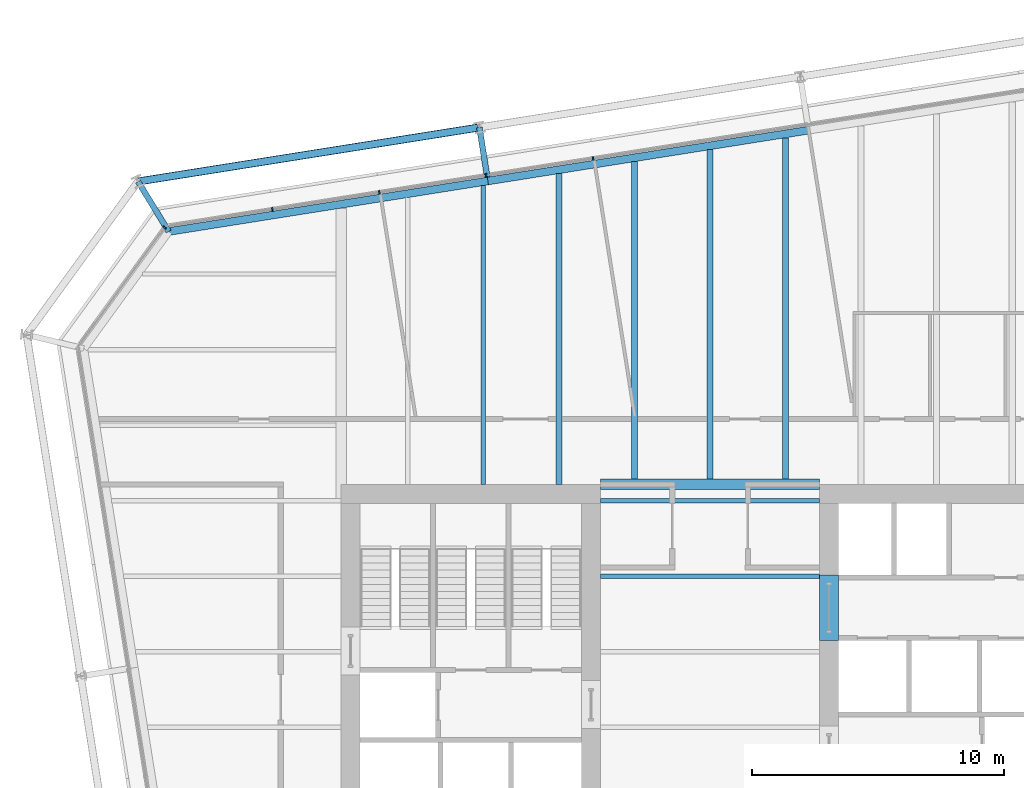
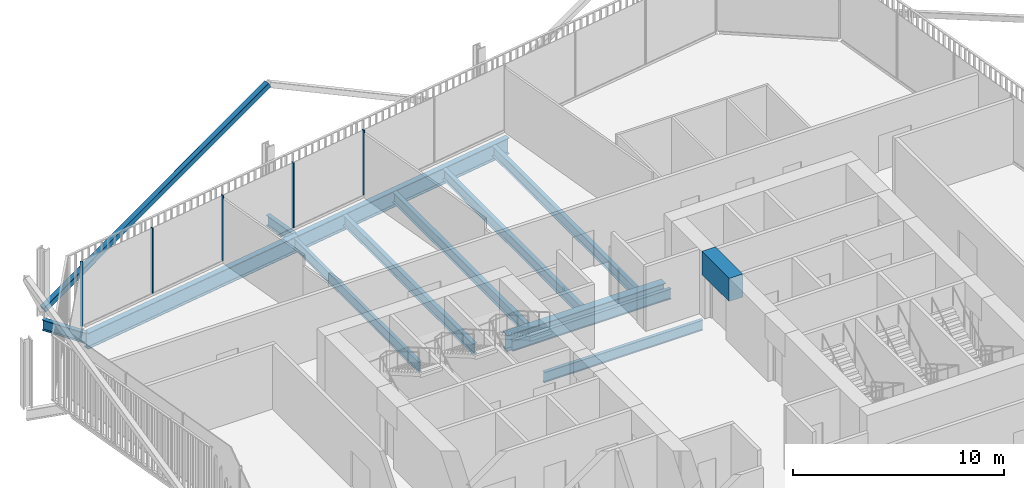
# One storey, part 11 of 22: 13 beams, 6 members, 2 elements without a shape of their own.
"""IFC4 building model written with IfcOpenShell, lengths in metres."""

import ifcopenshell
import ifcopenshell.guid

model = None  # the IFC model being written
_history = None  # IfcOwnerHistory: only IFC2X3 demands one
_inside = {}  # id of a spatial element -> (the spatial element, [elements in it])
_under = {}  # id of a project, library or spatial element -> (it, [spatial elements below it])
_declared = {}  # id of a project -> (the project, [libraries it declares])
_typed = {}  # id of a type object -> (the type object, [elements of that type])
_made_of = {}  # id of a material, layer set ... -> (it, [elements and type objects made of it])


def new_model(schema):
    """Start an empty IFC model of exactly this schema.

    Asked for "IFC4X3", IfcOpenShell would pick the latest addendum, in which some entities
    have other attributes; the version numbers below select the first issue.
    IFC2X3 requires an IfcOwnerHistory on every rooted entity: one is made here for all.
    """
    global model, _history
    if schema == "IFC4X3":
        model = ifcopenshell.file(schema_version=(4, 3, 0, 0))
    else:
        model = ifcopenshell.file(schema=schema)
    _inside.clear()
    _under.clear()
    _declared.clear()
    _typed.clear()
    _made_of.clear()
    _history = None
    if model.schema == "IFC2X3":
        org = make("IfcOrganization", Name="unknown")
        user = make(
            "IfcPersonAndOrganization",
            ThePerson=make("IfcPerson", FamilyName="unknown"),
            TheOrganization=org,
        )
        app = make(
            "IfcApplication",
            ApplicationDeveloper=org,
            Version="unknown",
            ApplicationFullName="unknown",
            ApplicationIdentifier="unknown",
        )
        _history = make(
            "IfcOwnerHistory",
            OwningUser=user,
            OwningApplication=app,
            ChangeAction="ADDED",
            CreationDate=0,
        )
    return model


def make(cls, **values):
    """One entity of the class cls with the attributes given. An attribute that is None is left unset."""
    return model.create_entity(
        cls, **{name: value for name, value in values.items() if value is not None}
    )


def rooted(cls, **values):
    """An entity with a GlobalId (a new one), such as an element, a storey or a relation."""
    return make(cls, GlobalId=ifcopenshell.guid.new(), OwnerHistory=_history, **values)


def si_unit(unit_type, name, prefix=None):
    """IfcSIUnit, for example si_unit("LENGTHUNIT", "METRE", prefix="MILLI")."""
    return make("IfcSIUnit", UnitType=unit_type, Prefix=prefix, Name=name)


def assignment(units):
    """IfcUnitAssignment: the units of a project."""
    return None if units is None else make("IfcUnitAssignment", Units=units)


def point(xyz):
    """IfcCartesianPoint."""
    return None if xyz is None else make("IfcCartesianPoint", Coordinates=xyz)


def direction(xyz):
    """IfcDirection."""
    return None if xyz is None else make("IfcDirection", DirectionRatios=xyz)


def frame(location, z_axis=None, x_axis=None):
    """IfcAxis2Placement3D, a coordinate frame: its origin and axes. An axis left out is left unset."""
    return make(
        "IfcAxis2Placement3D",
        Location=point(location),
        Axis=direction(z_axis),
        RefDirection=direction(x_axis),
    )


def frame_2d(location, x_axis=None):
    """IfcAxis2Placement2D, a coordinate frame in the plane: its origin and x axis."""
    return make(
        "IfcAxis2Placement2D", Location=point(location), RefDirection=direction(x_axis)
    )


def origin():
    """The frame at (0, 0, 0) with its axes left unset."""
    return frame((0.0, 0.0, 0.0))


def origin_2d():
    """The frame at (0, 0) in the plane with its x axis left unset."""
    return frame_2d((0.0, 0.0))


def place(relative_to, where):
    """IfcLocalPlacement: puts the frame where relative to a parent placement (None: the world)."""
    return make(
        "IfcLocalPlacement", PlacementRelTo=relative_to, RelativePlacement=where
    )


def context(
    kind, dimensions, precision=None, world=None, true_north=None, identifier=None
):
    """IfcGeometricRepresentationContext, for example the 3D "Model" context."""
    return make(
        "IfcGeometricRepresentationContext",
        ContextIdentifier=identifier,
        ContextType=kind,
        CoordinateSpaceDimension=dimensions,
        Precision=precision,
        WorldCoordinateSystem=world,
        TrueNorth=true_north,
    )


def subcontext(parent, identifier, kind, view, scale=None):
    """IfcGeometricRepresentationSubContext, for example "Body" below "Model"."""
    return make(
        "IfcGeometricRepresentationSubContext",
        ContextIdentifier=identifier,
        ContextType=kind,
        ParentContext=parent,
        TargetScale=scale,
        TargetView=view,
    )


def project(units=None, contexts=None):
    """IfcProject with its units and contexts."""
    return rooted(
        "IfcProject",
        Name="project",
        RepresentationContexts=contexts,
        UnitsInContext=assignment(units),
    )


def spatial(cls, under=None, at=None, **own):
    """A site, building, storey or space (cls), placed at a placement, below another one or the project."""
    s = rooted(cls, ObjectPlacement=at, **own)
    if under is not None:
        _under.setdefault(under.id(), (under, []))[1].append(s)
    return s


def profile(cls, at=None, kind="AREA", **sizes):
    """A parametric profile (cls). Its sizes go by their IFC names, for example OverallWidth=200.0."""
    return make(cls, ProfileType=kind, Position=at, **sizes)


def rectangle(**sizes):
    """IfcRectangleProfileDef."""
    return profile("IfcRectangleProfileDef", **sizes)


def hollow_rectangle(**sizes):
    """IfcRectangleHollowProfileDef."""
    return profile("IfcRectangleHollowProfileDef", **sizes)


def i_section(**sizes):
    """IfcIShapeProfileDef."""
    return profile("IfcIShapeProfileDef", **sizes)


def extrude(swept, where, along, depth):
    """IfcExtrudedAreaSolid: the profile swept, set in the frame where, extruded along a direction by depth."""
    return make(
        "IfcExtrudedAreaSolid",
        SweptArea=swept,
        Position=where,
        ExtrudedDirection=direction(along),
        Depth=depth,
    )


def shape(context_of_items, identifier, shape_type, items):
    """IfcShapeRepresentation: the items that make up one representation, for example the "Body"."""
    return make(
        "IfcShapeRepresentation",
        ContextOfItems=context_of_items,
        RepresentationIdentifier=identifier,
        RepresentationType=shape_type,
        Items=items,
    )


def material(Name=None, Category=None):
    """IfcMaterial."""
    return make("IfcMaterial", Name=Name, Category=Category)


def layer(
    of_material, thickness, ventilated=None, Name=None, Category=None, Priority=None
):
    """IfcMaterialLayer: one layer of a wall or slab, of a material (None: an air gap)."""
    return make(
        "IfcMaterialLayer",
        Material=of_material,
        LayerThickness=thickness,
        IsVentilated=ventilated,
        Name=Name,
        Category=Category,
        Priority=Priority,
    )


def layer_set(layers, Name=None):
    """IfcMaterialLayerSet."""
    return make("IfcMaterialLayerSet", MaterialLayers=layers, LayerSetName=Name)


def material_profile(
    of_material, cross_section, Name=None, Category=None, Priority=None
):
    """IfcMaterialProfile: a cross section and its material."""
    return make(
        "IfcMaterialProfile",
        Name=Name,
        Material=of_material,
        Profile=cross_section,
        Priority=Priority,
        Category=Category,
    )


def profile_set(profiles, Name=None, composite=None):
    """IfcMaterialProfileSet."""
    return make(
        "IfcMaterialProfileSet",
        Name=Name,
        MaterialProfiles=profiles,
        CompositeProfile=composite,
    )


def made_of(thing, what):
    """Note that an element or type object is made of a material, layer set ...; save() writes the relation."""
    if what is not None:
        _made_of.setdefault(what.id(), (what, []))[1].append(thing)
    return thing


def type_object(cls, material=None, **own):
    """A type object (cls), such as IfcWallType, which elements share."""
    return made_of(rooted(cls, **own), material)


def element(
    cls,
    number,
    at=None,
    inside=None,
    cuts=None,
    type_object=None,
    material=None,
    context=None,
    identifier="Body",
    shape_type=None,
    held_by="IfcProductDefinitionShape",
    body=None,
    shapes=None,
    **own,
):
    """One element of the class cls, such as IfcWall. Its Tag is "e" and its number.

    at: its placement. inside: the storey or other place that contains it. cuts: it is an
    opening in that element (IfcRelVoidsElement). A single representation is given by context,
    identifier, shape_type and body (its items); several are given by shapes. held_by: the class
    of the entity that holds the representations. save() writes the other relations.
    """
    e = rooted(cls, Tag="e%d" % number, ObjectPlacement=at, **own)
    if body is not None:
        shapes = [shape(context, identifier, shape_type, body)]
    if shapes is not None:
        e.Representation = make(held_by, Representations=shapes)
    if inside is not None:
        _inside.setdefault(inside.id(), (inside, []))[1].append(e)
    if cuts is not None:
        rooted(
            "IfcRelVoidsElement", RelatingBuildingElement=cuts, RelatedOpeningElement=e
        )
    if type_object is not None:
        _typed.setdefault(type_object.id(), (type_object, []))[1].append(e)
    return made_of(e, material)


def aggregate(whole, parts):
    """IfcRelAggregates: a whole, such as a stair, and the parts it consists of."""
    return rooted("IfcRelAggregates", RelatingObject=whole, RelatedObjects=parts)


def save(model, path):
    """Write the relations noted so far, then the file.

    IfcRelAggregates (storeys below a building ...), IfcRelContainedInSpatialStructure (elements
    in a storey), IfcRelDefinesByType, IfcRelAssociatesMaterial and IfcRelDeclares: one each for
    every whole, place, type object, material and project.
    """
    for whole, parts in _under.values():
        aggregate(whole, parts)
    for where, things in _inside.values():
        rooted(
            "IfcRelContainedInSpatialStructure",
            RelatedElements=things,
            RelatingStructure=where,
        )
    for kind, things in _typed.values():
        rooted("IfcRelDefinesByType", RelatedObjects=things, RelatingType=kind)
    for what, things in _made_of.values():
        rooted("IfcRelAssociatesMaterial", RelatedObjects=things, RelatingMaterial=what)
    for by, libraries in _declared.values():
        rooted("IfcRelDeclares", RelatingContext=by, RelatedDefinitions=libraries)
    model.write(path)


model = new_model("IFC4")

# Units and contexts
model_context = context("Model", 3, precision=1e-05, world=origin(), true_north=direction((0.0, 1.0)))
body_context = subcontext(model_context, "Body", "Model", "MODEL_VIEW")
ifc_project = project(units=[si_unit("LENGTHUNIT", "METRE"), si_unit("AREAUNIT", "SQUARE_METRE"), si_unit("VOLUMEUNIT", "CUBIC_METRE"), si_unit("PLANEANGLEUNIT", "RADIAN"), si_unit("MASSUNIT", "GRAM", prefix="KILO")], contexts=[model_context])

# Site, building, storey
site_placement = place(None, origin())
site = spatial("IfcSite", under=ifc_project, at=site_placement, CompositionType="ELEMENT")
building_placement = place(site_placement, origin())
building = spatial("IfcBuilding", under=site, at=building_placement, Name="Millrace Tower", CompositionType="ELEMENT")
storey_placement = place(building_placement, frame((0.0, 0.0, 160.699951171875)))
storey = spatial("IfcBuildingStorey", under=building, at=storey_placement, Name="L36", CompositionType="ELEMENT", Elevation=160.699951171875)

# Curtain wall, members
ifc_material_1 = material(Name="Aluminium and glass", Category="aluminium")
ifc_layer = layer(ifc_material_1, 0.14990234375)
ifc_layer_set = layer_set([ifc_layer], Name="Aluminium and glass")
curtain_wall_type = type_object("IfcCurtainWallType", Name="CW-1 office vision curtain wall", PredefinedType="NOTDEFINED", material=ifc_layer_set)
placement = place(storey_placement, origin())
curtain_wall_1 = element("IfcCurtainWall", 1, at=placement, inside=storey, type_object=curtain_wall_type, Name="Curtain wall C-F06 L36", PredefinedType="NOTDEFINED")
ifc_material_2 = material(Name="Aluminium", Category="aluminium")
ifc_material_profile_1 = material_profile(ifc_material_2, rectangle(XDim=0.06494140625, YDim=0.14990234375, at=origin_2d()))
ifc_profile_set_1 = profile_set([ifc_material_profile_1], Name="Aluminium")
member_type_1 = type_object("IfcMemberType", Name="CW-1 office vision curtain wall mullion", PredefinedType="MULLION", material=ifc_profile_set_1)
member_1_placement = place(storey_placement, frame((-4.6435546875, 22.59326171875, 0.14013671875), z_axis=(0.0, 0.0, 1.0), x_axis=(-0.98768833929, -0.15643447328, 0.0)))
member_1 = element("IfcMember", 2, at=member_1_placement, type_object=member_type_1, Name="CW1 mullion C-F06.6", PredefinedType="MULLION", context=body_context, shape_type="SweptSolid", body=[
    extrude(rectangle(XDim=0.06494140625, YDim=0.14990234375, at=origin_2d()), origin(), (0.0, 0.0, 1.0), 3.760009765625),
])
member_2_placement = place(storey_placement, frame((-8.890625, 21.920654296875, 0.14013671875), z_axis=(0.0, 0.0, 1.0), x_axis=(-0.98768833929, -0.15643447328, 0.0)))
member_2 = element("IfcMember", 3, at=member_2_placement, type_object=member_type_1, Name="CW1 mullion C-F06.7", PredefinedType="MULLION", context=body_context, shape_type="SweptSolid", body=[
    extrude(rectangle(XDim=0.06494140625, YDim=0.14990234375, at=origin_2d()), origin(), (0.0, 0.0, 1.0), 3.760009765625),
])
member_3_placement = place(storey_placement, frame((-13.1376953125, 21.248046875, 0.14013671875), z_axis=(0.0, 0.0, 1.0), x_axis=(-0.98768833929, -0.15643447328, 0.0)))
member_3 = element("IfcMember", 4, at=member_3_placement, type_object=member_type_1, Name="CW1 mullion C-F06.8", PredefinedType="MULLION", context=body_context, shape_type="SweptSolid", body=[
    extrude(rectangle(XDim=0.06494140625, YDim=0.14990234375, at=origin_2d()), origin(), (0.0, 0.0, 1.0), 3.760009765625),
])
member_4_placement = place(storey_placement, frame((-17.384765625, 20.575439453125, 0.14013671875), z_axis=(0.0, 0.0, 1.0), x_axis=(-0.98768833929, -0.15643447328, 0.0)))
member_4 = element("IfcMember", 5, at=member_4_placement, type_object=member_type_1, Name="CW1 mullion C-F06.9", PredefinedType="MULLION", context=body_context, shape_type="SweptSolid", body=[
    extrude(rectangle(XDim=0.06494140625, YDim=0.14990234375, at=origin_2d()), origin(), (0.0, 0.0, 1.0), 3.760009765625),
])
aggregate(curtain_wall_1, [member_1, member_2, member_3, member_4])

# Curtain wall, member
curtain_wall_2 = element("IfcCurtainWall", 6, at=placement, inside=storey, type_object=curtain_wall_type, Name="Curtain wall C-F07 L36", PredefinedType="NOTDEFINED")
member_5_placement = place(storey_placement, frame((-21.667724609375, 19.8515625, 0.14013671875), z_axis=(0.0, 0.0, 1.0), x_axis=(-0.587785269844, -0.809016981623, 0.0)))
member_5 = element("IfcMember", 7, at=member_5_placement, type_object=member_type_1, Name="CW1 mullion C-F07.1", PredefinedType="MULLION", context=body_context, shape_type="SweptSolid", body=[
    extrude(rectangle(XDim=0.06494140625, YDim=0.14990234375, at=origin_2d()), origin(), (0.0, 0.0, 1.0), 3.760009765625),
])
aggregate(curtain_wall_2, [member_5])

# Beam
ifc_material_3 = material(Name="Concrete C70", Category="concrete")
ifc_material_profile_2 = material_profile(ifc_material_3, rectangle(XDim=0.75, YDim=1.340087890625, at=origin_2d()))
ifc_profile_set_2 = profile_set([ifc_material_profile_2], Name="Concrete C70")
beam_type_1 = type_object("IfcBeamType", Name="Coupling beam 750 x 1340 Concrete C70, 2000 opening", PredefinedType="BEAM", material=ifc_profile_set_2)
beam_1_placement = place(storey_placement, frame((4.72509765625, 6.050048828125, 3.070068359375), z_axis=(0.0, -1.0, 0.0), x_axis=(1.0, 0.0, 0.0)))
element("IfcBeam", 8, at=beam_1_placement, inside=storey, type_object=beam_type_1, Name="Coupling beam E L36", PredefinedType="BEAM", context=body_context, shape_type="SweptSolid", body=[
    extrude(rectangle(XDim=0.75, YDim=1.340087890625, at=origin_2d()), origin(), (0.0, 0.0, 1.0), 2.60009765625),
])

# Member
ifc_material_4 = material(Name="Steel ASTM A500 Grade C", Category="steel")
ifc_material_profile_3 = material_profile(ifc_material_4, hollow_rectangle(XDim=0.3046875, YDim=0.3046875, WallThickness=0.0126953125, InnerFilletRadius=0.00634765625, OuterFilletRadius=0.01904296875, at=origin_2d()))
ifc_profile_set_3 = profile_set([ifc_material_profile_3], Name="Steel ASTM A500 Grade C")
member_type_2 = type_object("IfcMemberType", Name="Exoskeleton brace HSS12x12x1/2", PredefinedType="BRACE", material=ifc_profile_set_3)
member_6_placement = place(storey_placement, frame((-22.718994140625, 21.679443359375, 0.400146484375), z_axis=(0.879904612171, 0.139370908249, 0.454250617407), x_axis=(-0.156442906258, 0.987687003601, 0.0)))
element("IfcMember", 9, at=member_6_placement, inside=storey, type_object=member_type_2, Name="BRC-C-L36-12", PredefinedType="BRACE", context=body_context, shape_type="SweptSolid", body=[
    extrude(hollow_rectangle(XDim=0.3046875, YDim=0.3046875, WallThickness=0.0126953125, InnerFilletRadius=0.00634765625, OuterFilletRadius=0.01904296875, at=origin_2d()), origin(), (0.0, 0.0, 1.0), 15.409912109375),
])

# Beams
ifc_material_5 = material(Name="Steel ASTM A992 Grade 50", Category="steel")
ifc_material_profile_4 = material_profile(ifc_material_5, i_section(OverallWidth=0.177978515625, OverallDepth=0.599365234375, WebThickness=0.010009765625, FlangeThickness=0.012939453125, FilletRadius=0.012939453125, at=origin_2d()))
ifc_profile_set_4 = profile_set([ifc_material_profile_4], Name="Steel ASTM A992 Grade 50")
beam_type_2 = type_object("IfcBeamType", Name="Floor beam W24x55", PredefinedType="JOIST", material=ifc_profile_set_4)
for number, where, z_axis, x_axis, name in (
    (10, (-4.35009765625, 6.0, -0.459716796875), (1.0, 0.0, 0.0), (0.0, 1.0, 0.0), "BM-C-L36-S1-S025"),
    (11, (-4.35009765625, 9.0, -0.459716796875), (1.0, 0.0, 0.0), (0.0, 1.0, 0.0), "BM-C-L36-S1-S028"),
):
    element("IfcBeam", number, at=place(storey_placement, frame(where, z_axis=z_axis, x_axis=x_axis)), inside=storey, type_object=beam_type_2, Name=name, PredefinedType="JOIST", context=body_context, shape_type="SweptSolid", body=[
        extrude(i_section(OverallWidth=0.177978515625, OverallDepth=0.599365234375, WebThickness=0.010009765625, FlangeThickness=0.012939453125, FilletRadius=0.012939453125, at=origin_2d()), origin(), (0.0, 0.0, 1.0), 8.7001953125),
    ])
ifc_material_6 = material(Name="Steel ASTM A992 Grade 50", Category="steel")
ifc_material_profile_5 = material_profile(ifc_material_6, i_section(OverallWidth=0.1787109375, OverallDepth=0.60205078125, WebThickness=0.010986328125, FlangeThickness=0.014892578125, FilletRadius=0.0126953125, at=origin_2d()))
ifc_profile_set_5 = profile_set([ifc_material_profile_5], Name="Steel ASTM A992 Grade 50")
beam_type_3 = type_object("IfcBeamType", Name="Floor beam W24x62", PredefinedType="JOIST", material=ifc_profile_set_5)
beam_2_placement = place(storey_placement, frame((-9.0, 9.64990234375, -0.4609375), z_axis=(0.0, 1.0, 0.0), x_axis=(-1.0, 0.0, 0.0)))
element("IfcBeam", 12, at=beam_2_placement, inside=storey, type_object=beam_type_3, Name="BM-C-L36-S1-S041", PredefinedType="JOIST", context=body_context, shape_type="SweptSolid", body=[
    extrude(i_section(OverallWidth=0.1787109375, OverallDepth=0.60205078125, WebThickness=0.010986328125, FlangeThickness=0.014892578125, FilletRadius=0.0126953125, at=origin_2d()), origin(), (0.0, 0.0, 1.0), 11.866455078125),
])
ifc_material_7 = material(Name="Steel ASTM A992 Grade 50", Category="steel")
ifc_material_profile_6 = material_profile(ifc_material_7, i_section(OverallWidth=0.228271484375, OverallDepth=0.607177734375, WebThickness=0.01123046875, FlangeThickness=0.017333984375, FilletRadius=0.0126953125, at=origin_2d()))
ifc_profile_set_6 = profile_set([ifc_material_profile_6], Name="Steel ASTM A992 Grade 50")
beam_type_4 = type_object("IfcBeamType", Name="Floor beam W24x76", PredefinedType="JOIST", material=ifc_profile_set_6)
beam_3_placement = place(storey_placement, frame((-6.0, 9.64990234375, -0.46337890625), z_axis=(0.0, 1.0, 0.0), x_axis=(-1.0, 0.0, 0.0)))
element("IfcBeam", 13, at=beam_3_placement, inside=storey, type_object=beam_type_4, Name="BM-C-L36-S1-S043", PredefinedType="JOIST", context=body_context, shape_type="SweptSolid", body=[
    extrude(i_section(OverallWidth=0.228271484375, OverallDepth=0.607177734375, WebThickness=0.01123046875, FlangeThickness=0.017333984375, FilletRadius=0.0126953125, at=origin_2d()), origin(), (0.0, 0.0, 1.0), 12.341552734375),
])
beam_4_placement = place(storey_placement, frame((-3.0, 9.859619140625, -0.46337890625), z_axis=(0.0, 1.0, 0.0), x_axis=(-1.0, 0.0, 0.0)))
element("IfcBeam", 14, at=beam_4_placement, inside=storey, type_object=beam_type_4, Name="BM-C-L36-S1-S045", PredefinedType="JOIST", context=body_context, shape_type="SweptSolid", body=[
    extrude(i_section(OverallWidth=0.228271484375, OverallDepth=0.607177734375, WebThickness=0.01123046875, FlangeThickness=0.017333984375, FilletRadius=0.0126953125, at=origin_2d()), origin(), (0.0, 0.0, 1.0), 12.60693359375),
])
beam_5_placement = place(storey_placement, frame((0.0, 9.859619140625, -0.46337890625), z_axis=(0.0, 1.0, 0.0), x_axis=(-1.0, 0.0, 0.0)))
element("IfcBeam", 15, at=beam_5_placement, inside=storey, type_object=beam_type_4, Name="BM-C-L36-S1-S047", PredefinedType="JOIST", context=body_context, shape_type="SweptSolid", body=[
    extrude(i_section(OverallWidth=0.228271484375, OverallDepth=0.607177734375, WebThickness=0.01123046875, FlangeThickness=0.017333984375, FilletRadius=0.0126953125, at=origin_2d()), origin(), (0.0, 0.0, 1.0), 13.08203125),
])
beam_6_placement = place(storey_placement, frame((3.0, 9.859619140625, -0.46337890625), z_axis=(0.0, 1.0, 0.0), x_axis=(-1.0, 0.0, 0.0)))
element("IfcBeam", 16, at=beam_6_placement, inside=storey, type_object=beam_type_4, Name="BM-C-L36-S1-S049", PredefinedType="JOIST", context=body_context, shape_type="SweptSolid", body=[
    extrude(i_section(OverallWidth=0.228271484375, OverallDepth=0.607177734375, WebThickness=0.01123046875, FlangeThickness=0.017333984375, FilletRadius=0.0126953125, at=origin_2d()), origin(), (0.0, 0.0, 1.0), 13.55712890625),
])
ifc_material_8 = material(Name="Steel ASTM A992 Grade 50", Category="steel")
ifc_material_profile_7 = material_profile(ifc_material_8, i_section(OverallWidth=0.419189453125, OverallDepth=0.927001953125, WebThickness=0.019287109375, FlangeThickness=0.031982421875, FilletRadius=0.024169921875, at=origin_2d()))
ifc_profile_set_7 = profile_set([ifc_material_profile_7], Name="Steel ASTM A992 Grade 50")
beam_type_5 = type_object("IfcBeamType", Name="Girder short span W36x231", PredefinedType="BEAM", material=ifc_profile_set_7)
beam_7_placement = place(storey_placement, frame((-4.35009765625, 9.64990234375, -0.62353515625), z_axis=(1.0, 0.0, 0.0), x_axis=(0.0, 1.0, 0.0)))
element("IfcBeam", 17, at=beam_7_placement, inside=storey, type_object=beam_type_5, Name="BM-C-L36-S1-G061", PredefinedType="BEAM", context=body_context, shape_type="SweptSolid", body=[
    extrude(i_section(OverallWidth=0.419189453125, OverallDepth=0.927001953125, WebThickness=0.019287109375, FlangeThickness=0.031982421875, FilletRadius=0.024169921875, at=origin_2d()), origin(), (0.0, 0.0, 1.0), 8.7001953125),
])
ifc_material_9 = material(Name="Steel ASTM A992 Grade 50", Category="steel")
ifc_material_profile_8 = material_profile(ifc_material_9, i_section(OverallWidth=0.23046875, OverallDepth=0.6171875, WebThickness=0.01318359375, FlangeThickness=0.022216796875, FilletRadius=0.012939453125, at=origin_2d()))
ifc_profile_set_8 = profile_set([ifc_material_profile_8], Name="Steel ASTM A992 Grade 50")
beam_type_6 = type_object("IfcBeamType", Name="Link beam W24x94", PredefinedType="BEAM", material=ifc_profile_set_8)
beam_8_placement = place(storey_placement, frame((-21.5009765625, 19.69189453125, -0.468505859375), z_axis=(-0.522512938711, 0.852631355792, 0.0), x_axis=(-0.852631355792, -0.522512938711, 0.0)))
element("IfcBeam", 18, at=beam_8_placement, inside=storey, type_object=beam_type_6, Name="LNK-C-L36-S1-05", PredefinedType="BEAM", context=body_context, shape_type="SweptSolid", body=[
    extrude(i_section(OverallWidth=0.23046875, OverallDepth=0.6171875, WebThickness=0.01318359375, FlangeThickness=0.022216796875, FilletRadius=0.012939453125, at=origin_2d()), origin(), (0.0, 0.0, 1.0), 2.3310546875),
])
beam_9_placement = place(storey_placement, frame((-8.8466796875, 21.8515625, -0.468505859375), z_axis=(-0.156476509441, 0.987681680499, 0.0), x_axis=(-0.987681680499, -0.156476509441, 0.0)))
element("IfcBeam", 19, at=beam_9_placement, inside=storey, type_object=beam_type_6, Name="LNK-C-L36-S1-06", PredefinedType="BEAM", context=body_context, shape_type="SweptSolid", body=[
    extrude(i_section(OverallWidth=0.23046875, OverallDepth=0.6171875, WebThickness=0.01318359375, FlangeThickness=0.022216796875, FilletRadius=0.012939453125, at=origin_2d()), origin(), (0.0, 0.0, 1.0), 2.000244140625),
])
ifc_material_10 = material(Name="Steel ASTM A992 Grade 50", Category="steel")
ifc_material_profile_9 = material_profile(ifc_material_10, i_section(OverallWidth=0.307373046875, OverallDepth=0.927001953125, WebThickness=0.01953125, FlangeThickness=0.031982421875, FilletRadius=0.01904296875, at=origin_2d()))
ifc_profile_set_9 = profile_set([ifc_material_profile_9], Name="Steel ASTM A992 Grade 50")
beam_type_7 = type_object("IfcBeamType", Name="Ring beam medium span W36x194", PredefinedType="SPANDREL", material=ifc_profile_set_9)
beam_10_placement = place(storey_placement, frame((-21.5009765625, 19.69189453125, -0.62353515625), z_axis=(0.987688058438, 0.156436246498, 0.0), x_axis=(-0.156436246498, 0.987688058438, 0.0)))
element("IfcBeam", 20, at=beam_10_placement, inside=storey, type_object=beam_type_7, Name="RNG-C-L36-S1-05", PredefinedType="SPANDREL", context=body_context, shape_type="SweptSolid", body=[
    extrude(i_section(OverallWidth=0.307373046875, OverallDepth=0.927001953125, WebThickness=0.01953125, FlangeThickness=0.031982421875, FilletRadius=0.01904296875, at=origin_2d()), origin(), (0.0, 0.0, 1.0), 12.836181640625),
])
beam_11_placement = place(storey_placement, frame((-8.82275390625, 21.699951171875, -0.62353515625), z_axis=(0.987687659758, 0.156438763615, 0.0), x_axis=(-0.156438763615, 0.987687659758, 0.0)))
element("IfcBeam", 21, at=beam_11_placement, inside=storey, type_object=beam_type_7, Name="RNG-C-L36-S1-06", PredefinedType="SPANDREL", context=body_context, shape_type="SweptSolid", body=[
    extrude(i_section(OverallWidth=0.307373046875, OverallDepth=0.927001953125, WebThickness=0.01953125, FlangeThickness=0.031982421875, FilletRadius=0.01904296875, at=origin_2d()), origin(), (0.0, 0.0, 1.0), 12.900146484375),
])

save(model, "model.ifc")
